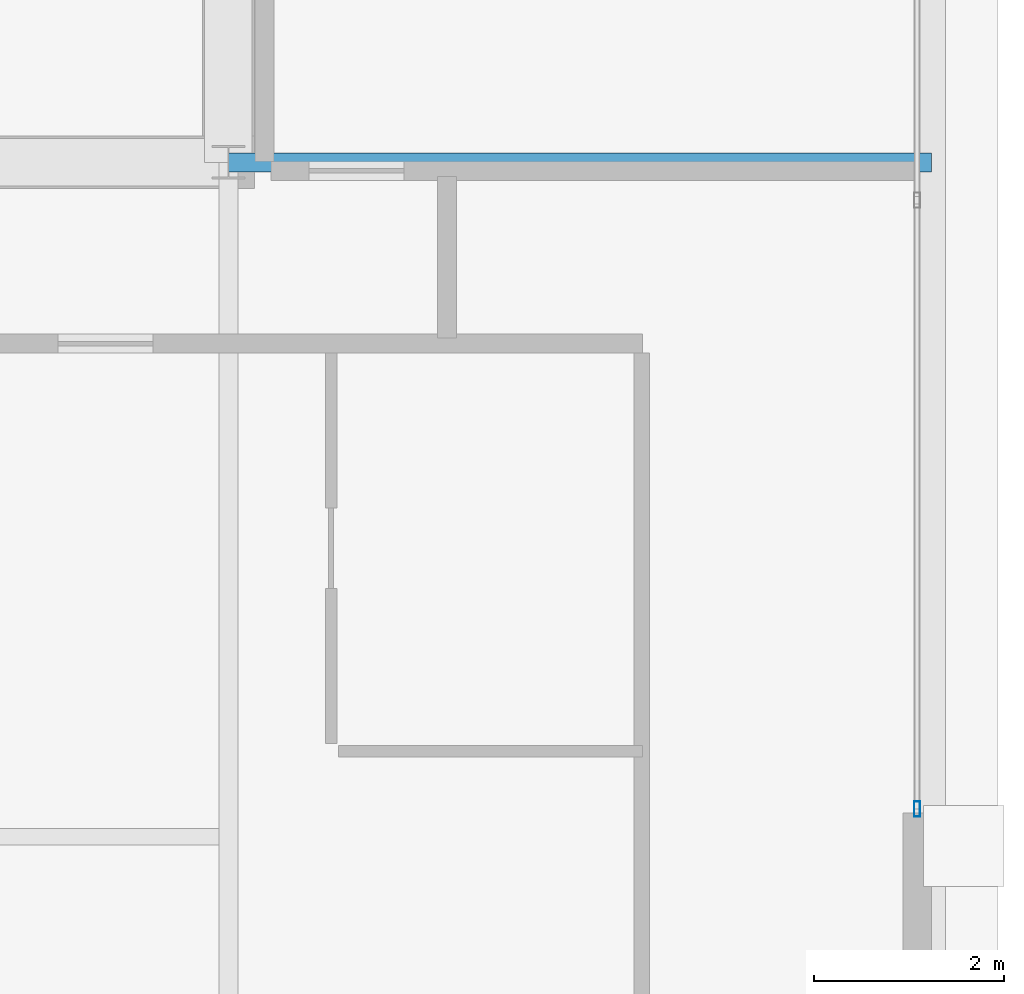
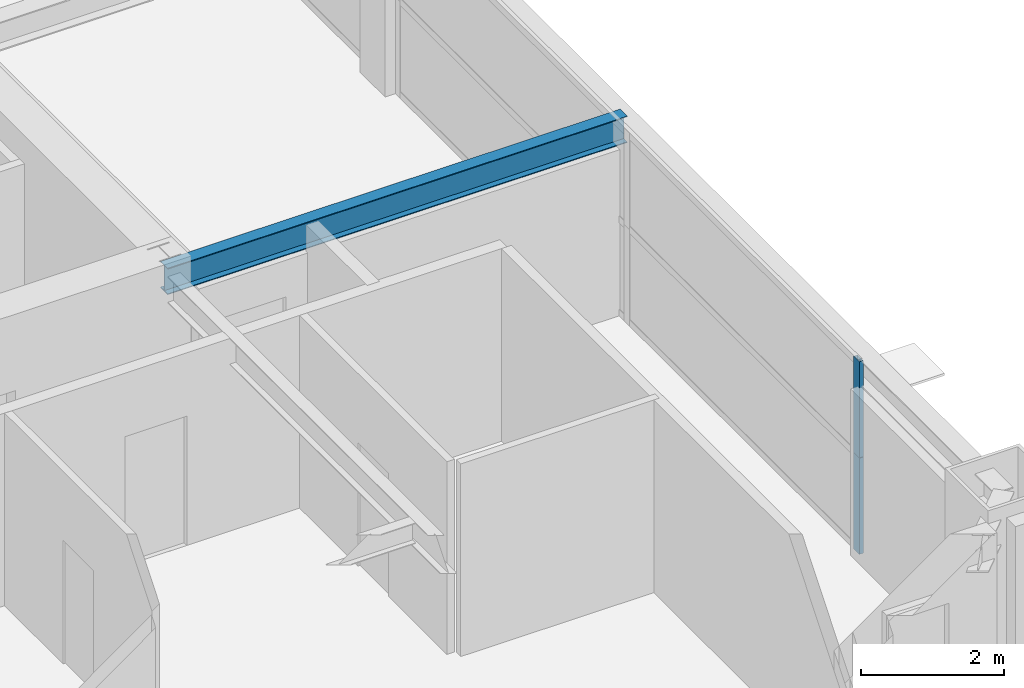
# One storey, part 18 of 37: 2 members, 1 beam, 1 element without a shape of its own.
"""IFC4 building model written with IfcOpenShell, lengths in metres."""

from ifc_helpers import new_model, si_unit, direction, frame, origin, origin_2d, place, context, subcontext, project, spatial, hollow_rectangle, i_section, extrude, source, transform, mapped, material, layer, layer_set, material_profile, profile_set, type_object, element, aggregate, save


model = new_model("IFC4")

# Units and contexts
model_context = context("Model", 3, precision=1e-05, world=origin(), true_north=direction((0.0, 1.0)))
body_context = subcontext(model_context, "Body", "Model", "MODEL_VIEW")
ifc_project = project(units=[si_unit("LENGTHUNIT", "METRE"), si_unit("AREAUNIT", "SQUARE_METRE"), si_unit("VOLUMEUNIT", "CUBIC_METRE"), si_unit("PLANEANGLEUNIT", "RADIAN"), si_unit("MASSUNIT", "GRAM", prefix="KILO"), si_unit("THERMODYNAMICTEMPERATUREUNIT", "KELVIN"), si_unit("POWERUNIT", "WATT")], contexts=[model_context])

# Site, building, storey
site_placement = place(None, origin())
site = spatial("IfcSite", under=ifc_project, at=site_placement, CompositionType="ELEMENT")
building_placement = place(site_placement, origin())
building = spatial("IfcBuilding", under=site, at=building_placement, Name="Yuzanri Waterfront Tower", CompositionType="ELEMENT")
storey_placement = place(building_placement, frame((0.0, 0.0, 275.10009765625)))
storey = spatial("IfcBuildingStorey", under=building, at=storey_placement, Name="L73", CompositionType="ELEMENT", Elevation=275.10009765625)

# Beam
ifc_material_1 = material(Name="Steel Q355B", Category="steel")
ifc_material_profile_1 = material_profile(ifc_material_1, i_section(OverallWidth=0.199951171875, OverallDepth=0.449951171875, WebThickness=0.009033203125, FlangeThickness=0.013916015625, at=origin_2d()), Name="HN 450x200x9x14")
ifc_profile_set_1 = profile_set([ifc_material_profile_1], Name="Steel Q355B")
beam_type = type_object("IfcBeamType", Name="Secondary Floor Beam Q355B HN 450x200", PredefinedType="BEAM", material=ifc_profile_set_1)
shared_shape_1 = source(origin(), body_context, "Body", "SweptSolid", [
    extrude(i_section(OverallWidth=0.199951171875, OverallDepth=0.449951171875, WebThickness=0.009033203125, FlangeThickness=0.013916015625, at=origin_2d()), origin(), (0.0, 0.0, 1.0), 7.400146484375),
])
beam_placement = place(storey_placement, frame((50.199951171875, 19.39990234375, 3.054931640625), z_axis=(1.0, 0.0, 0.0), x_axis=(0.0, 1.0, 0.0)))
element("IfcBeam", 1, at=beam_placement, inside=storey, type_object=beam_type, Name="L73 East-South Core Line Beam", PredefinedType="BEAM", context=body_context, shape_type="MappedRepresentation", body=[
    mapped(shared_shape_1, transform((0.0, 0.0, 0.0), scale=1.0)),
])

# Curtain wall, members
ifc_material_2 = material(Name="Anodized Architectural Bronze", Category="metal")
ifc_layer = layer(ifc_material_2, 0.159912109375)
ifc_layer_set = layer_set([ifc_layer], Name="Anodized Architectural Bronze")
curtain_wall_type = type_object("IfcCurtainWallType", Name="Anodized Bronze Mid-Rise Residential Acoustic Unitized Curtain Wall 7200", PredefinedType="NOTDEFINED", material=ifc_layer_set)
curtain_wall_placement = place(storey_placement, origin())
curtain_wall = element("IfcCurtainWall", 2, at=curtain_wall_placement, inside=storey, type_object=curtain_wall_type, Name="L73 Curtain Wall CW-L73-EL", PredefinedType="NOTDEFINED")
ifc_material_3 = material(Name="Anodized Architectural Bronze", Category="metal")
ifc_material_profile_2 = material_profile(ifc_material_3, hollow_rectangle(XDim=0.06494140625, YDim=0.159912109375, WallThickness=0.00341796875, at=origin_2d()), Name="CWM 65x160")
ifc_profile_set_2 = profile_set([ifc_material_profile_2], Name="Anodized Architectural Bronze")
member_type = type_object("IfcMemberType", Name="Anodized Bronze Upper-Zone Curtain-Wall Mullion 65x160", PredefinedType="MULLION", material=ifc_profile_set_2)
shared_shape_2 = source(origin(), body_context, "Body", "SweptSolid", [
    extrude(hollow_rectangle(XDim=0.06494140625, YDim=0.159912109375, WallThickness=0.00341796875, at=origin_2d()), origin(), (0.0, 0.0, 1.0), 1.637939453125),
])
member_1_placement = place(storey_placement, frame((57.449951171875, 12.590087890625, 0.0), z_axis=(0.0, 0.0, 1.0), x_axis=(1.0, 0.0, 0.0)))
member_1 = element("IfcMember", 3, at=member_1_placement, type_object=member_type, Name="CW-L73-EL Lower Mullion 00", PredefinedType="MULLION", context=body_context, shape_type="MappedRepresentation", body=[
    mapped(shared_shape_2, transform((0.0, 0.0, 0.0), scale=1.0)),
])
member_2_placement = place(storey_placement, frame((57.449951171875, 12.590087890625, 1.641845703125), z_axis=(0.0, 0.0, 1.0), x_axis=(1.0, 0.0, 0.0)))
member_2 = element("IfcMember", 4, at=member_2_placement, type_object=member_type, Name="CW-L73-EL Upper Mullion 00", PredefinedType="MULLION", context=body_context, shape_type="MappedRepresentation", body=[
    mapped(shared_shape_2, transform((0.0, 0.0, 0.0), scale=1.0)),
])
aggregate(curtain_wall, [member_1, member_2])

save(model, "model.ifc")
